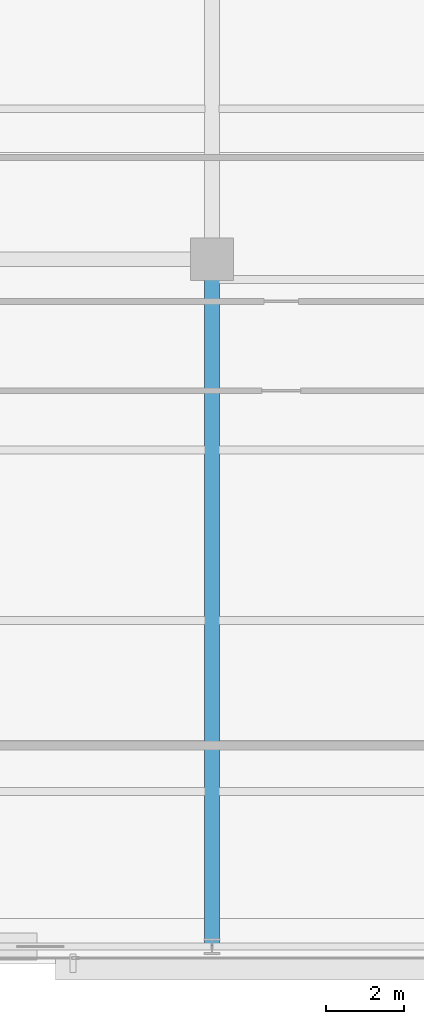
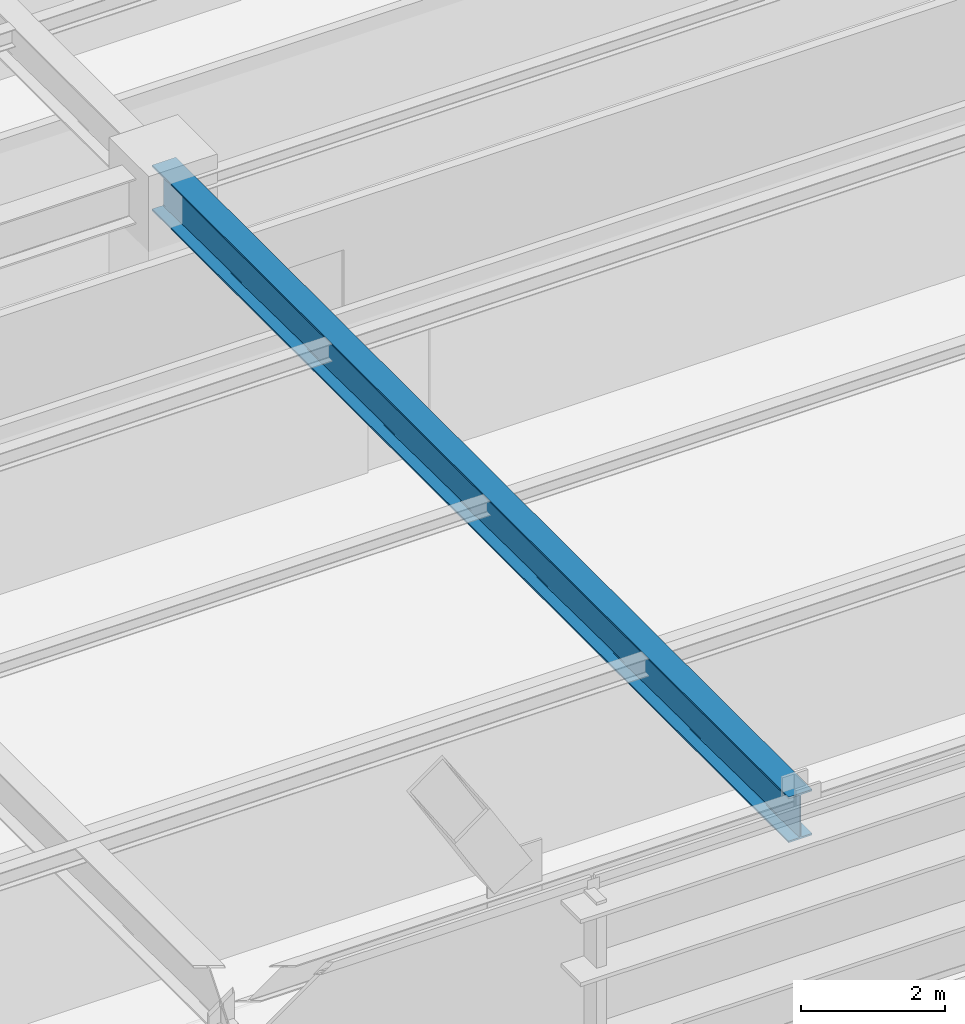
# One storey, part 13 of 35: 1 beam.
"""IFC4 building model written with IfcOpenShell, lengths in metres."""

from ifc_helpers import new_model, si_unit, direction, frame, origin, origin_2d, place, context, subcontext, project, spatial, i_section, extrude, source, transform, mapped, material, material_profile, profile_set, type_object, type_shapes, element, save


model = new_model("IFC4")

# Units and contexts
model_context = context("Model", 3, precision=1e-05, world=origin(), true_north=direction((0.0, 1.0)))
body_context = subcontext(model_context, "Body", "Model", "MODEL_VIEW")
ifc_project = project(units=[si_unit("LENGTHUNIT", "METRE"), si_unit("AREAUNIT", "SQUARE_METRE"), si_unit("VOLUMEUNIT", "CUBIC_METRE"), si_unit("PLANEANGLEUNIT", "RADIAN"), si_unit("MASSUNIT", "GRAM", prefix="KILO")], contexts=[model_context])

# Site, building, storey
site_placement = place(None, origin())
site = spatial("IfcSite", under=ifc_project, at=site_placement, CompositionType="ELEMENT")
building_placement = place(site_placement, origin())
building = spatial("IfcBuilding", under=site, at=building_placement, Name="Varnel Quay Broadcast Tower", CompositionType="ELEMENT")
storey_placement = place(building_placement, frame((0.0, 0.0, 31.5)))
storey = spatial("IfcBuildingStorey", under=building, at=storey_placement, Name="L06", CompositionType="ELEMENT", Elevation=31.5)

# Beam
ifc_material = material(Name="Structural Steel CSA G40.21 350W", Category="steel")
ifc_material_profile = material_profile(ifc_material, i_section(OverallWidth=0.381103515625, OverallDepth=0.77294921875, WebThickness=0.0166015625, FlangeThickness=0.027587890625, FilletRadius=0.01806640625, at=origin_2d()), Name="W760X257")
ifc_profile_set = profile_set([ifc_material_profile], Name="Structural Steel CSA G40.21 350W")
beam_type = type_object("IfcBeamType", Name="Girder_W760X257", PredefinedType="BEAM", material=ifc_profile_set)
shared_shape = source(origin(), body_context, "Body", "SweptSolid", [
    extrude(i_section(OverallWidth=0.381103515625, OverallDepth=0.77294921875, WebThickness=0.0166015625, FlangeThickness=0.027587890625, FilletRadius=0.01806640625, at=origin_2d()), origin(), (0.0, 0.0, 1.0), 17.68017578125),
])
type_shapes(beam_type, [shared_shape])
beam_placement = place(storey_placement, frame((43.199951171875, 1.669921875, 3.263427734375), z_axis=(0.0, 1.0, 0.0), x_axis=(-1.0, 0.0, 0.0)))
element("IfcBeam", 1, at=beam_placement, inside=storey, type_object=beam_type, Name="L06 Primary Girder TC-S4-IC-02", PredefinedType="BEAM", context=body_context, shape_type="MappedRepresentation", body=[
    mapped(shared_shape, transform((0.0, 0.0, 0.0), x_axis=(1.0, 0.0, 0.0), y_axis=(0.0, 1.0, 0.0), z_axis=(0.0, 0.0, 1.0), scale=1.0)),
])

save(model, "model.ifc")
